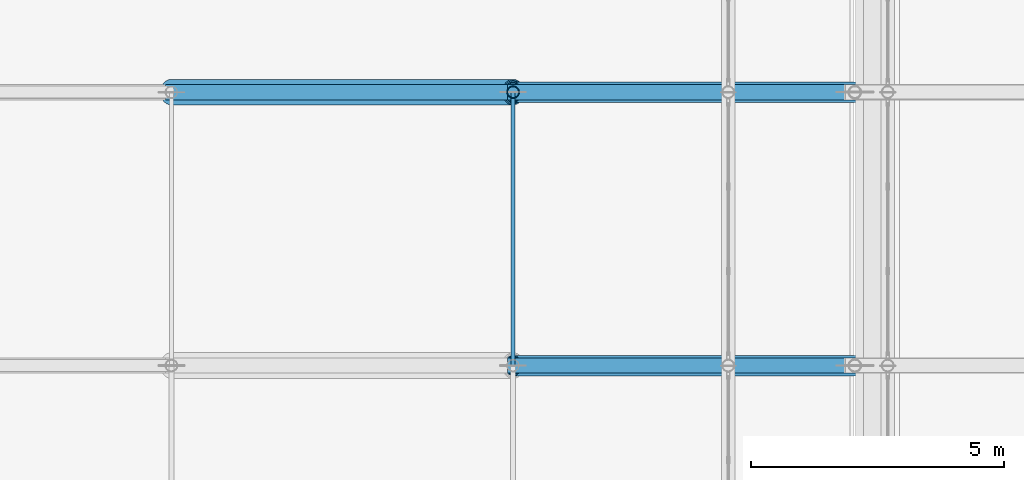
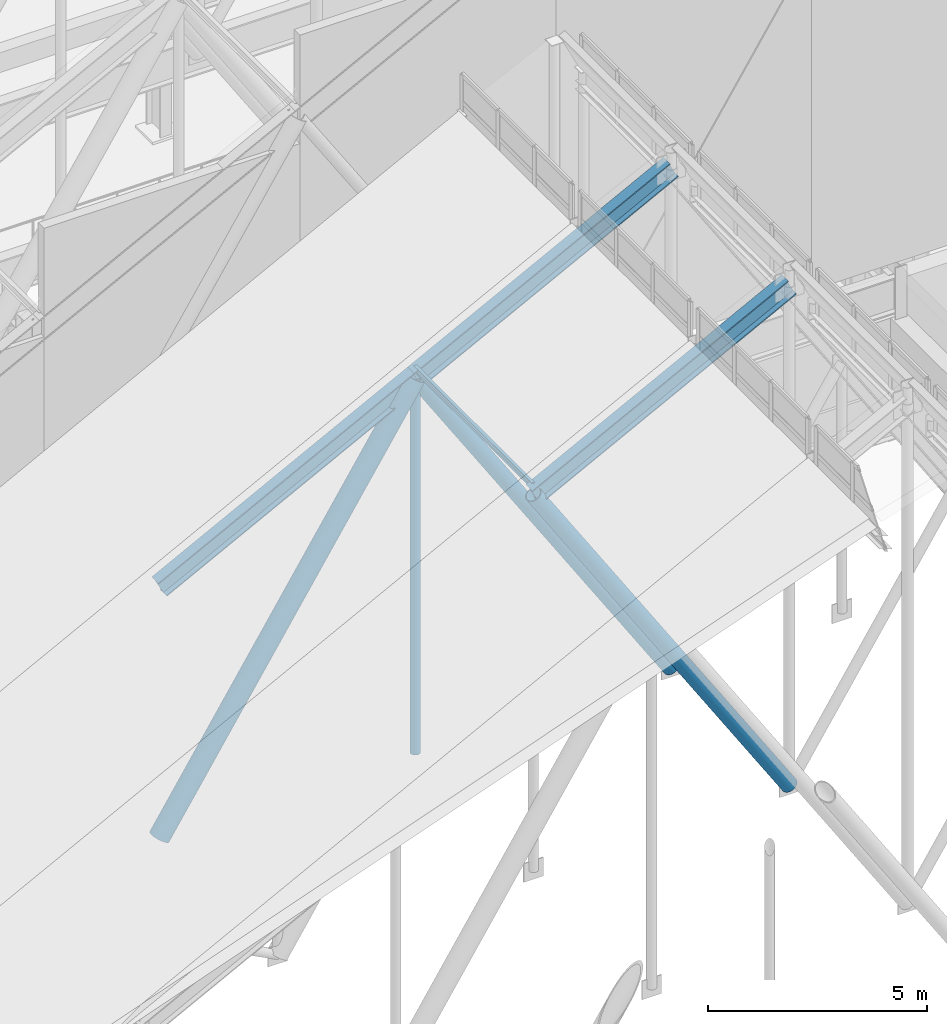
# One storey, part 18 of 84: 8 members.
"""IFC4 building model written with IfcOpenShell, lengths in metres."""

import ifcopenshell
import ifcopenshell.guid

model = None  # the IFC model being written
_history = None  # IfcOwnerHistory: only IFC2X3 demands one
_inside = {}  # id of a spatial element -> (the spatial element, [elements in it])
_under = {}  # id of a project, library or spatial element -> (it, [spatial elements below it])
_declared = {}  # id of a project -> (the project, [libraries it declares])
_typed = {}  # id of a type object -> (the type object, [elements of that type])
_made_of = {}  # id of a material, layer set ... -> (it, [elements and type objects made of it])


def new_model(schema):
    """Start an empty IFC model of exactly this schema.

    Asked for "IFC4X3", IfcOpenShell would pick the latest addendum, in which some entities
    have other attributes; the version numbers below select the first issue.
    IFC2X3 requires an IfcOwnerHistory on every rooted entity: one is made here for all.
    """
    global model, _history
    if schema == "IFC4X3":
        model = ifcopenshell.file(schema_version=(4, 3, 0, 0))
    else:
        model = ifcopenshell.file(schema=schema)
    _inside.clear()
    _under.clear()
    _declared.clear()
    _typed.clear()
    _made_of.clear()
    _history = None
    if model.schema == "IFC2X3":
        org = make("IfcOrganization", Name="unknown")
        user = make(
            "IfcPersonAndOrganization",
            ThePerson=make("IfcPerson", FamilyName="unknown"),
            TheOrganization=org,
        )
        app = make(
            "IfcApplication",
            ApplicationDeveloper=org,
            Version="unknown",
            ApplicationFullName="unknown",
            ApplicationIdentifier="unknown",
        )
        _history = make(
            "IfcOwnerHistory",
            OwningUser=user,
            OwningApplication=app,
            ChangeAction="ADDED",
            CreationDate=0,
        )
    return model


def make(cls, **values):
    """One entity of the class cls with the attributes given. An attribute that is None is left unset."""
    return model.create_entity(
        cls, **{name: value for name, value in values.items() if value is not None}
    )


def rooted(cls, **values):
    """An entity with a GlobalId (a new one), such as an element, a storey or a relation."""
    return make(cls, GlobalId=ifcopenshell.guid.new(), OwnerHistory=_history, **values)


def si_unit(unit_type, name, prefix=None):
    """IfcSIUnit, for example si_unit("LENGTHUNIT", "METRE", prefix="MILLI")."""
    return make("IfcSIUnit", UnitType=unit_type, Prefix=prefix, Name=name)


def assignment(units):
    """IfcUnitAssignment: the units of a project."""
    return None if units is None else make("IfcUnitAssignment", Units=units)


def point(xyz):
    """IfcCartesianPoint."""
    return None if xyz is None else make("IfcCartesianPoint", Coordinates=xyz)


def direction(xyz):
    """IfcDirection."""
    return None if xyz is None else make("IfcDirection", DirectionRatios=xyz)


def frame(location, z_axis=None, x_axis=None):
    """IfcAxis2Placement3D, a coordinate frame: its origin and axes. An axis left out is left unset."""
    return make(
        "IfcAxis2Placement3D",
        Location=point(location),
        Axis=direction(z_axis),
        RefDirection=direction(x_axis),
    )


def frame_2d(location, x_axis=None):
    """IfcAxis2Placement2D, a coordinate frame in the plane: its origin and x axis."""
    return make(
        "IfcAxis2Placement2D", Location=point(location), RefDirection=direction(x_axis)
    )


def origin():
    """The frame at (0, 0, 0) with its axes left unset."""
    return frame((0.0, 0.0, 0.0))


def origin_2d():
    """The frame at (0, 0) in the plane with its x axis left unset."""
    return frame_2d((0.0, 0.0))


def place(relative_to, where):
    """IfcLocalPlacement: puts the frame where relative to a parent placement (None: the world)."""
    return make(
        "IfcLocalPlacement", PlacementRelTo=relative_to, RelativePlacement=where
    )


def context(
    kind, dimensions, precision=None, world=None, true_north=None, identifier=None
):
    """IfcGeometricRepresentationContext, for example the 3D "Model" context."""
    return make(
        "IfcGeometricRepresentationContext",
        ContextIdentifier=identifier,
        ContextType=kind,
        CoordinateSpaceDimension=dimensions,
        Precision=precision,
        WorldCoordinateSystem=world,
        TrueNorth=true_north,
    )


def subcontext(parent, identifier, kind, view, scale=None):
    """IfcGeometricRepresentationSubContext, for example "Body" below "Model"."""
    return make(
        "IfcGeometricRepresentationSubContext",
        ContextIdentifier=identifier,
        ContextType=kind,
        ParentContext=parent,
        TargetScale=scale,
        TargetView=view,
    )


def project(units=None, contexts=None):
    """IfcProject with its units and contexts."""
    return rooted(
        "IfcProject",
        Name="project",
        RepresentationContexts=contexts,
        UnitsInContext=assignment(units),
    )


def spatial(cls, under=None, at=None, **own):
    """A site, building, storey or space (cls), placed at a placement, below another one or the project."""
    s = rooted(cls, ObjectPlacement=at, **own)
    if under is not None:
        _under.setdefault(under.id(), (under, []))[1].append(s)
    return s


def profile(cls, at=None, kind="AREA", **sizes):
    """A parametric profile (cls). Its sizes go by their IFC names, for example OverallWidth=200.0."""
    return make(cls, ProfileType=kind, Position=at, **sizes)


def hollow_circle(**sizes):
    """IfcCircleHollowProfileDef."""
    return profile("IfcCircleHollowProfileDef", **sizes)


def i_section(**sizes):
    """IfcIShapeProfileDef."""
    return profile("IfcIShapeProfileDef", **sizes)


def extrude(swept, where, along, depth):
    """IfcExtrudedAreaSolid: the profile swept, set in the frame where, extruded along a direction by depth."""
    return make(
        "IfcExtrudedAreaSolid",
        SweptArea=swept,
        Position=where,
        ExtrudedDirection=direction(along),
        Depth=depth,
    )


def shape(context_of_items, identifier, shape_type, items):
    """IfcShapeRepresentation: the items that make up one representation, for example the "Body"."""
    return make(
        "IfcShapeRepresentation",
        ContextOfItems=context_of_items,
        RepresentationIdentifier=identifier,
        RepresentationType=shape_type,
        Items=items,
    )


def material(Name=None, Category=None):
    """IfcMaterial."""
    return make("IfcMaterial", Name=Name, Category=Category)


def material_profile(
    of_material, cross_section, Name=None, Category=None, Priority=None
):
    """IfcMaterialProfile: a cross section and its material."""
    return make(
        "IfcMaterialProfile",
        Name=Name,
        Material=of_material,
        Profile=cross_section,
        Priority=Priority,
        Category=Category,
    )


def profile_set(profiles, Name=None, composite=None):
    """IfcMaterialProfileSet."""
    return make(
        "IfcMaterialProfileSet",
        Name=Name,
        MaterialProfiles=profiles,
        CompositeProfile=composite,
    )


def made_of(thing, what):
    """Note that an element or type object is made of a material, layer set ...; save() writes the relation."""
    if what is not None:
        _made_of.setdefault(what.id(), (what, []))[1].append(thing)
    return thing


def type_object(cls, material=None, **own):
    """A type object (cls), such as IfcWallType, which elements share."""
    return made_of(rooted(cls, **own), material)


def element(
    cls,
    number,
    at=None,
    inside=None,
    cuts=None,
    type_object=None,
    material=None,
    context=None,
    identifier="Body",
    shape_type=None,
    held_by="IfcProductDefinitionShape",
    body=None,
    shapes=None,
    **own,
):
    """One element of the class cls, such as IfcWall. Its Tag is "e" and its number.

    at: its placement. inside: the storey or other place that contains it. cuts: it is an
    opening in that element (IfcRelVoidsElement). A single representation is given by context,
    identifier, shape_type and body (its items); several are given by shapes. held_by: the class
    of the entity that holds the representations. save() writes the other relations.
    """
    e = rooted(cls, Tag="e%d" % number, ObjectPlacement=at, **own)
    if body is not None:
        shapes = [shape(context, identifier, shape_type, body)]
    if shapes is not None:
        e.Representation = make(held_by, Representations=shapes)
    if inside is not None:
        _inside.setdefault(inside.id(), (inside, []))[1].append(e)
    if cuts is not None:
        rooted(
            "IfcRelVoidsElement", RelatingBuildingElement=cuts, RelatedOpeningElement=e
        )
    if type_object is not None:
        _typed.setdefault(type_object.id(), (type_object, []))[1].append(e)
    return made_of(e, material)


def aggregate(whole, parts):
    """IfcRelAggregates: a whole, such as a stair, and the parts it consists of."""
    return rooted("IfcRelAggregates", RelatingObject=whole, RelatedObjects=parts)


def save(model, path):
    """Write the relations noted so far, then the file.

    IfcRelAggregates (storeys below a building ...), IfcRelContainedInSpatialStructure (elements
    in a storey), IfcRelDefinesByType, IfcRelAssociatesMaterial and IfcRelDeclares: one each for
    every whole, place, type object, material and project.
    """
    for whole, parts in _under.values():
        aggregate(whole, parts)
    for where, things in _inside.values():
        rooted(
            "IfcRelContainedInSpatialStructure",
            RelatedElements=things,
            RelatingStructure=where,
        )
    for kind, things in _typed.values():
        rooted("IfcRelDefinesByType", RelatedObjects=things, RelatingType=kind)
    for what, things in _made_of.values():
        rooted("IfcRelAssociatesMaterial", RelatedObjects=things, RelatingMaterial=what)
    for by, libraries in _declared.values():
        rooted("IfcRelDeclares", RelatingContext=by, RelatedDefinitions=libraries)
    model.write(path)


model = new_model("IFC4")

# Units and contexts
model_context = context("Model", 3, precision=1e-05, world=origin(), true_north=direction((0.0, 1.0)))
body_context = subcontext(model_context, "Body", "Model", "MODEL_VIEW")
ifc_project = project(units=[si_unit("LENGTHUNIT", "METRE"), si_unit("AREAUNIT", "SQUARE_METRE"), si_unit("VOLUMEUNIT", "CUBIC_METRE"), si_unit("PLANEANGLEUNIT", "RADIAN"), si_unit("MASSUNIT", "GRAM", prefix="KILO")], contexts=[model_context])

# Site, building, storey
site_placement = place(None, origin())
site = spatial("IfcSite", under=ifc_project, at=site_placement, CompositionType="ELEMENT")
building_placement = place(site_placement, origin())
building = spatial("IfcBuilding", under=site, at=building_placement, Name="Sundgate Opera House", CompositionType="ELEMENT")
storey_placement = place(building_placement, frame((0.0, 0.0, 30.60009765625)))
storey = spatial("IfcBuildingStorey", under=building, at=storey_placement, Name="L06", CompositionType="ELEMENT", Elevation=30.60009765625)

# Members
ifc_material_1 = material(Name="Steel S355J2", Category="steel")
ifc_material_profile_1 = material_profile(ifc_material_1, i_section(OverallWidth=0.300048828125, OverallDepth=0.5, WebThickness=0.014404296875, FlangeThickness=0.028076171875, at=origin_2d()), Name="HEB 500")
ifc_profile_set_1 = profile_set([ifc_material_profile_1], Name="Steel S355J2")
member_type_1 = type_object("IfcMemberType", Name="MB-CHORD-HEB500", PredefinedType="CHORD", material=ifc_profile_set_1)
for number, where, z_axis, x_axis, name in (
    (1, (47.25, 49.199951171875, 9.7099609375), (0.88829222652, 0.0, 0.459278695678), (0.0, 1.0, 0.0), "L06 Auditorium Truss Top Chord M0095"),
    (2, (40.5, 54.60009765625, 6.219970703125), (0.88829222652, 0.0, 0.459278695678), (0.0, 1.0, 0.0), "L06 Auditorium Truss Top Chord M0108"),
    (3, (47.25, 54.60009765625, 9.7099609375), (0.88829222652, 0.0, 0.459278695678), (0.0, 1.0, 0.0), "L06 Auditorium Truss Top Chord M0110"),
):
    element("IfcMember", number, at=place(storey_placement, frame(where, z_axis=z_axis, x_axis=x_axis)), inside=storey, type_object=member_type_1, Name=name, PredefinedType="CHORD", context=body_context, shape_type="SweptSolid", body=[
        extrude(i_section(OverallWidth=0.300048828125, OverallDepth=0.5, WebThickness=0.014404296875, FlangeThickness=0.028076171875, at=origin_2d()), origin(), (0.0, 0.0, 1.0), 7.598876953125),
    ])
ifc_material_2 = material(Name="Steel S355J2", Category="steel")
ifc_material_profile_2 = material_profile(ifc_material_2, i_section(OverallWidth=0.08203125, OverallDepth=0.159912109375, WebThickness=0.0048828125, FlangeThickness=0.00732421875, at=origin_2d()), Name="IPE 160")
ifc_profile_set_2 = profile_set([ifc_material_profile_2], Name="Steel S355J2")
member_type_2 = type_object("IfcMemberType", Name="MB-PUR-IPE160", PredefinedType="PURLIN", material=ifc_profile_set_2)
member_1_placement = place(storey_placement, frame((47.25, 49.199951171875, 9.954833984375), z_axis=(0.0, 1.0, 0.0), x_axis=(-1.0, 0.0, 0.0)))
element("IfcMember", 4, at=member_1_placement, inside=storey, type_object=member_type_2, Name="V1 Roof Purlin M0244", PredefinedType="PURLIN", context=body_context, shape_type="SweptSolid", body=[
    extrude(i_section(OverallWidth=0.08203125, OverallDepth=0.159912109375, WebThickness=0.0048828125, FlangeThickness=0.00732421875, at=origin_2d()), origin(), (0.0, 0.0, 1.0), 5.400146484375),
])
ifc_material_3 = material(Name="Steel S355J2", Category="steel")
ifc_material_profile_3 = material_profile(ifc_material_3, hollow_circle(Radius=0.122314453125, WallThickness=0.012451171875, at=origin_2d()), Name="CHS 244.5x12.5")
ifc_profile_set_3 = profile_set([ifc_material_profile_3], Name="Steel S355J2")
member_type_3 = type_object("IfcMemberType", Name="MB-STRUT-CHS244", PredefinedType="STRUT", material=ifc_profile_set_3)
member_2_placement = place(storey_placement, frame((47.25, 54.60009765625, -0.760009765625), z_axis=(0.0, 0.0, 1.0), x_axis=(1.0, 0.0, 0.0)))
element("IfcMember", 5, at=member_2_placement, inside=storey, type_object=member_type_3, Name="L06 Auditorium Truss Vertical Post M0117", PredefinedType="STRUT", context=body_context, shape_type="SweptSolid", body=[
    extrude(hollow_circle(Radius=0.122314453125, WallThickness=0.012451171875, at=origin_2d()), origin(), (0.0, 0.0, 1.0), 10.469970703125),
])
ifc_material_4 = material(Name="Steel S355ML", Category="steel")
ifc_material_profile_4 = material_profile(ifc_material_4, hollow_circle(Radius=0.203125, WallThickness=0.02001953125, at=origin_2d()), Name="CHS 406.4x20.0")
ifc_profile_set_4 = profile_set([ifc_material_profile_4], Name="Steel S355ML")
member_type_4 = type_object("IfcMemberType", Name="MB-STRUT-CHS406", PredefinedType="STRUT", material=ifc_profile_set_4)
for number, where, z_axis, x_axis, name in (
    (6, (54.0, 49.199951171875, -0.760009765625), (-0.541853645841, 0.0, 0.840472858865), (0.0, -1.0, 0.0), "L06 Auditorium Warren Web Diagonal M0096"),
    (7, (54.0, 54.60009765625, -0.760009765625), (-0.541853645841, 0.0, 0.840472858865), (0.0, -1.0, 0.0), "L06 Auditorium Warren Web Diagonal M0111"),
):
    element("IfcMember", number, at=place(storey_placement, frame(where, z_axis=z_axis, x_axis=x_axis)), inside=storey, type_object=member_type_4, Name=name, PredefinedType="STRUT", context=body_context, shape_type="SweptSolid", body=[
        extrude(hollow_circle(Radius=0.203125, WallThickness=0.02001953125, at=origin_2d()), origin(), (0.0, 0.0, 1.0), 12.457275390625),
    ])
ifc_material_5 = material(Name="Steel S355ML", Category="steel")
ifc_material_profile_5 = material_profile(ifc_material_5, hollow_circle(Radius=0.25390625, WallThickness=0.02490234375, at=origin_2d()), Name="CHS 508x25.0")
ifc_profile_set_5 = profile_set([ifc_material_profile_5], Name="Steel S355ML")
member_type_5 = type_object("IfcMemberType", Name="MB-STRUT-CHS508", PredefinedType="STRUT", material=ifc_profile_set_5)
member_3_placement = place(storey_placement, frame((40.5, 54.60009765625, -0.760009765625), z_axis=(0.541853645841, 0.0, 0.840472858865), x_axis=(0.0, 1.0, 0.0)))
element("IfcMember", 8, at=member_3_placement, inside=storey, type_object=member_type_5, Name="L06 Auditorium Warren Web Strut M0109", PredefinedType="STRUT", context=body_context, shape_type="SweptSolid", body=[
    extrude(hollow_circle(Radius=0.25390625, WallThickness=0.02490234375, at=origin_2d()), origin(), (0.0, 0.0, 1.0), 12.457275390625),
])

save(model, "model.ifc")
